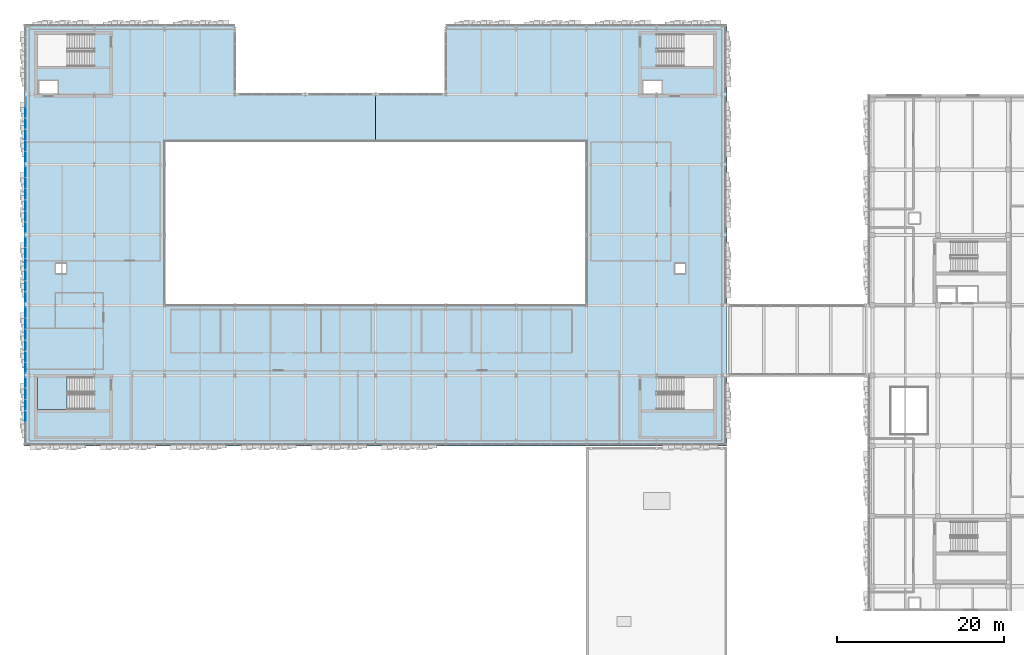
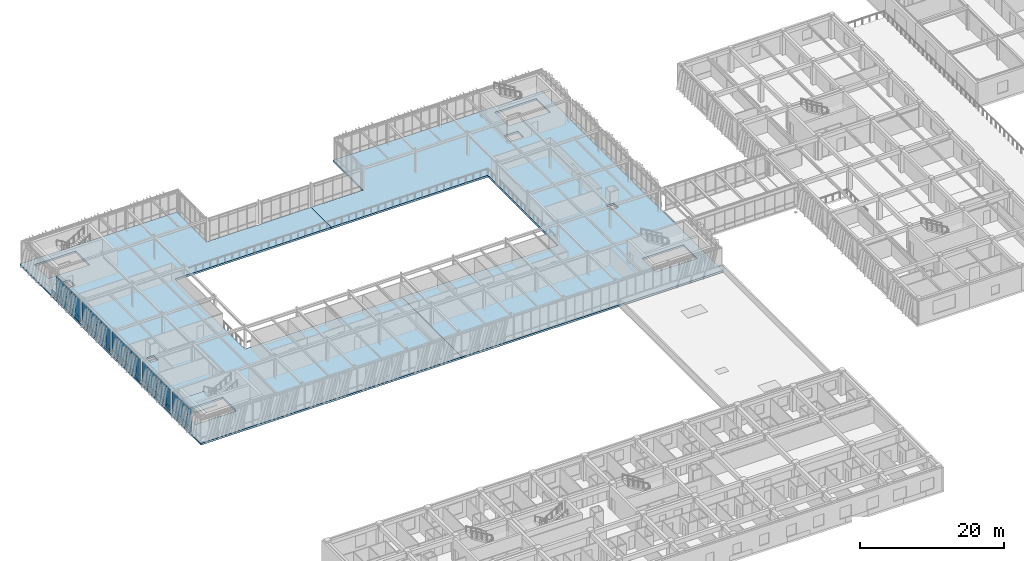
# One storey, part 87 of 127: 55 plates, 3 slabs, 6 elements without a shape of their own.
"""IFC4 building model written with IfcOpenShell, lengths in metres."""

from ifc_helpers import new_model, si_unit, direction, frame, origin, origin_2d, place, context, subcontext, project, spatial, polyline, rectangle, outline, extrude, material, layer, layer_set, type_object, element, aggregate, save


model = new_model("IFC4")

# Units and contexts
model_context = context("Model", 3, precision=1e-05, world=origin(), true_north=direction((0.0, 1.0)))
body_context = subcontext(model_context, "Body", "Model", "MODEL_VIEW")
ifc_project = project(units=[si_unit("LENGTHUNIT", "METRE"), si_unit("AREAUNIT", "SQUARE_METRE"), si_unit("VOLUMEUNIT", "CUBIC_METRE"), si_unit("PLANEANGLEUNIT", "RADIAN"), si_unit("MASSUNIT", "GRAM", prefix="KILO")], contexts=[model_context])

# Site, building, storey
site_placement = place(None, origin())
site = spatial("IfcSite", under=ifc_project, at=site_placement, CompositionType="ELEMENT")
building_placement = place(site_placement, origin())
building = spatial("IfcBuilding", under=site, at=building_placement, Name="Zayran Congress Hotel", CompositionType="ELEMENT")
storey_placement = place(building_placement, frame((0.0, 0.0, 10.800048828125)))
storey = spatial("IfcBuildingStorey", under=building, at=storey_placement, Name="L02", CompositionType="ELEMENT", Elevation=10.800048828125)

# Slabs
ifc_material_1 = material(Name="Concrete C32/40", Category="concrete")
ifc_layer_1 = layer(ifc_material_1, 0.320068359375)
ifc_layer_set_1 = layer_set([ifc_layer_1], Name="Concrete C32/40")
slab_type_1 = type_object("IfcSlabType", Name="SL-PD-320", PredefinedType="FLOOR", material=ifc_layer_set_1)
slab_1_placement = place(storey_placement, frame((0.0, 0.0, -0.320068359375)))
element("IfcSlab", 1, at=slab_1_placement, inside=storey, type_object=slab_type_1, Name="SLB-V1-L02-005", PredefinedType="FLOOR", context=body_context, shape_type="SweptSolid", body=[
    extrude(outline(polyline([(8.39990234375, 67.60009765625), (50.39990234375, 67.60009765625), (50.39990234375, 84.39990234375), (25.199951171875, 84.39990234375), (25.199951171875, 104.0), (50.39990234375, 104.0), (50.39990234375, 109.60009765625), (33.60009765625, 109.60009765625), (33.60009765625, 118.0), (8.39990234375, 118.0), (8.39990234375, 67.60009765625)]), holes=[polyline([(10.0, 112.9599609375), (16.659912109375, 112.9599609375), (16.659912109375, 116.800048828125), (10.0, 116.800048828125), (10.0, 112.9599609375)]), polyline([(10.199951171875, 109.60009765625), (12.39990234375, 109.60009765625), (12.39990234375, 111.199951171875), (10.199951171875, 111.199951171875), (10.199951171875, 109.60009765625)]), polyline([(10.0, 71.9599609375), (16.659912109375, 71.9599609375), (16.659912109375, 75.800048828125), (10.0, 75.800048828125), (10.0, 71.9599609375)]), polyline([(12.199951171875, 88.199951171875), (13.419921875, 88.199951171875), (13.419921875, 89.3798828125), (12.199951171875, 89.3798828125), (12.199951171875, 88.199951171875)])]), origin(), (0.0, 0.0, 1.0), 0.320068359375),
])
slab_2_placement = place(storey_placement, frame((0.0, 0.0, -0.320068359375)))
element("IfcSlab", 2, at=slab_2_placement, inside=storey, type_object=slab_type_1, Name="SLB-V1-L02-006", PredefinedType="FLOOR", context=body_context, shape_type="SweptSolid", body=[
    extrude(outline(polyline([(50.39990234375, 67.60009765625), (92.39990234375, 67.60009765625), (92.39990234375, 118.0), (58.800048828125, 118.0), (58.800048828125, 109.60009765625), (50.39990234375, 109.60009765625), (50.39990234375, 104.0), (75.60009765625, 104.0), (75.60009765625, 84.39990234375), (50.39990234375, 84.39990234375), (50.39990234375, 67.60009765625)]), holes=[polyline([(84.139892578125, 112.9599609375), (90.800048828125, 112.9599609375), (90.800048828125, 116.800048828125), (84.139892578125, 116.800048828125), (84.139892578125, 112.9599609375)]), polyline([(82.39990234375, 109.60009765625), (84.60009765625, 109.60009765625), (84.60009765625, 111.199951171875), (82.39990234375, 111.199951171875), (82.39990234375, 109.60009765625)]), polyline([(84.139892578125, 71.9599609375), (90.800048828125, 71.9599609375), (90.800048828125, 75.800048828125), (84.139892578125, 75.800048828125), (84.139892578125, 71.9599609375)]), polyline([(86.199951171875, 88.199951171875), (87.419921875, 88.199951171875), (87.419921875, 89.3798828125), (86.199951171875, 89.3798828125), (86.199951171875, 88.199951171875)])]), origin(), (0.0, 0.0, 1.0), 0.320068359375),
])

# Curtain wall, plates
ifc_material_2 = material(Name="Anodised aluminium and low-E insulated glass", Category="aluminium")
ifc_layer_2 = layer(ifc_material_2, 0.179931640625)
ifc_layer_set_2 = layer_set([ifc_layer_2], Name="Anodised aluminium and low-E insulated glass")
curtain_wall_type_1 = type_object("IfcCurtainWallType", Name="CW-V1W-L02-CW-31-8040-3920", PredefinedType="USERDEFINED", material=ifc_layer_set_2)
curtain_wall_1_placement = place(storey_placement, origin())
curtain_wall_1 = element("IfcCurtainWall", 3, at=curtain_wall_1_placement, inside=storey, type_object=curtain_wall_type_1, Name="CW-V1W-L02-0", ObjectType="CURTAIN WALL", PredefinedType="USERDEFINED")
ifc_material_3 = material(Name="Insulated warm bronze aluminium spandrel panel", Category="aluminium")
ifc_layer_3 = layer(ifc_material_3, 0.06005859375)
ifc_layer_set_3 = layer_set([ifc_layer_3], Name="Insulated warm bronze aluminium spandrel panel")
plate_type_1 = type_object("IfcPlateType", Name="CWP-SP-1220-750", PredefinedType="CURTAIN_PANEL", material=ifc_layer_set_3)
plate_1_placement = place(storey_placement, frame((8.550048828125, 75.1298828125, 0.06005859375), z_axis=(0.0, 0.0, 1.0), x_axis=(0.0, 1.0, 0.0)))
plate_1 = element("IfcPlate", 4, at=plate_1_placement, type_object=plate_type_1, Name="CW-31 Spandrel Panel 1", PredefinedType="CURTAIN_PANEL", context=body_context, shape_type="SweptSolid", body=[
    extrude(rectangle(XDim=1.219970703125, YDim=0.06005859375, at=origin_2d()), origin(), (0.0, 0.0, 1.0), 0.75),
])
plate_2_placement = place(storey_placement, frame((8.550048828125, 73.81005859375, 0.06005859375), z_axis=(0.0, 0.0, 1.0), x_axis=(0.0, 1.0, 0.0)))
plate_2 = element("IfcPlate", 5, at=plate_2_placement, type_object=plate_type_1, Name="CW-31 Spandrel Panel 2", PredefinedType="CURTAIN_PANEL", context=body_context, shape_type="SweptSolid", body=[
    extrude(rectangle(XDim=1.260009765625, YDim=0.06005859375, at=origin_2d()), origin(), (0.0, 0.0, 1.0), 0.75),
])
plate_3_placement = place(storey_placement, frame((8.550048828125, 72.469970703125, 0.06005859375), z_axis=(0.0, 0.0, 1.0), x_axis=(0.0, 1.0, 0.0)))
plate_3 = element("IfcPlate", 6, at=plate_3_placement, type_object=plate_type_1, Name="CW-31 Spandrel Panel 3", PredefinedType="CURTAIN_PANEL", context=body_context, shape_type="SweptSolid", body=[
    extrude(rectangle(XDim=1.260009765625, YDim=0.06005859375, at=origin_2d()), origin(), (0.0, 0.0, 1.0), 0.75),
])
plate_4_placement = place(storey_placement, frame((8.550048828125, 71.1298828125, 0.06005859375), z_axis=(0.0, 0.0, 1.0), x_axis=(0.0, 1.0, 0.0)))
plate_4 = element("IfcPlate", 7, at=plate_4_placement, type_object=plate_type_1, Name="CW-31 Spandrel Panel 4", PredefinedType="CURTAIN_PANEL", context=body_context, shape_type="SweptSolid", body=[
    extrude(rectangle(XDim=1.260009765625, YDim=0.06005859375, at=origin_2d()), origin(), (0.0, 0.0, 1.0), 0.75),
])

ifc_layer_4 = layer(ifc_material_2, 0.179931640625)
ifc_layer_set_4 = layer_set([ifc_layer_4], Name="Anodised aluminium and low-E insulated glass")
curtain_wall_type_2 = type_object("IfcCurtainWallType", Name="CW-V1W-L02-CW-32-8040-3920", PredefinedType="USERDEFINED", material=ifc_layer_set_4)
curtain_wall_2_placement = place(storey_placement, origin())
curtain_wall_2 = element("IfcCurtainWall", 8, at=curtain_wall_2_placement, inside=storey, type_object=curtain_wall_type_2, Name="CW-V1W-L02-3", ObjectType="CURTAIN WALL", PredefinedType="USERDEFINED")
plate_5_placement = place(storey_placement, frame((8.550048828125, 100.330078125, 0.06005859375), z_axis=(0.0, 0.0, 1.0), x_axis=(0.0, 1.0, 0.0)))
plate_5 = element("IfcPlate", 9, at=plate_5_placement, type_object=plate_type_1, Name="CW-32 Spandrel Panel 1", PredefinedType="CURTAIN_PANEL", context=body_context, shape_type="SweptSolid", body=[
    extrude(rectangle(XDim=1.219970703125, YDim=0.06005859375, at=origin_2d()), origin(), (0.0, 0.0, 1.0), 0.75),
])
plate_6_placement = place(storey_placement, frame((8.550048828125, 99.010009765625, 0.06005859375), z_axis=(0.0, 0.0, 1.0), x_axis=(0.0, 1.0, 0.0)))
plate_6 = element("IfcPlate", 10, at=plate_6_placement, type_object=plate_type_1, Name="CW-32 Spandrel Panel 2", PredefinedType="CURTAIN_PANEL", context=body_context, shape_type="SweptSolid", body=[
    extrude(rectangle(XDim=1.260009765625, YDim=0.06005859375, at=origin_2d()), origin(), (0.0, 0.0, 1.0), 0.75),
])
plate_7_placement = place(storey_placement, frame((8.550048828125, 97.669921875, 0.06005859375), z_axis=(0.0, 0.0, 1.0), x_axis=(0.0, 1.0, 0.0)))
plate_7 = element("IfcPlate", 11, at=plate_7_placement, type_object=plate_type_1, Name="CW-32 Spandrel Panel 3", PredefinedType="CURTAIN_PANEL", context=body_context, shape_type="SweptSolid", body=[
    extrude(rectangle(XDim=1.260009765625, YDim=0.06005859375, at=origin_2d()), origin(), (0.0, 0.0, 1.0), 0.75),
])
plate_8_placement = place(storey_placement, frame((8.550048828125, 96.330078125, 0.06005859375), z_axis=(0.0, 0.0, 1.0), x_axis=(0.0, 1.0, 0.0)))
plate_8 = element("IfcPlate", 12, at=plate_8_placement, type_object=plate_type_1, Name="CW-32 Spandrel Panel 4", PredefinedType="CURTAIN_PANEL", context=body_context, shape_type="SweptSolid", body=[
    extrude(rectangle(XDim=1.260009765625, YDim=0.06005859375, at=origin_2d()), origin(), (0.0, 0.0, 1.0), 0.75),
])
plate_9_placement = place(storey_placement, frame((8.550048828125, 94.989990234375, 0.06005859375), z_axis=(0.0, 0.0, 1.0), x_axis=(0.0, 1.0, 0.0)))
plate_9 = element("IfcPlate", 13, at=plate_9_placement, type_object=plate_type_1, Name="CW-32 Spandrel Panel 5", PredefinedType="CURTAIN_PANEL", context=body_context, shape_type="SweptSolid", body=[
    extrude(rectangle(XDim=1.260009765625, YDim=0.06005859375, at=origin_2d()), origin(), (0.0, 0.0, 1.0), 0.75),
])
plate_10_placement = place(storey_placement, frame((8.550048828125, 93.669921875, 0.06005859375), z_axis=(0.0, 0.0, 1.0), x_axis=(0.0, 1.0, 0.0)))
plate_10 = element("IfcPlate", 14, at=plate_10_placement, type_object=plate_type_1, Name="CW-32 Spandrel Panel 6", PredefinedType="CURTAIN_PANEL", context=body_context, shape_type="SweptSolid", body=[
    extrude(rectangle(XDim=1.219970703125, YDim=0.06005859375, at=origin_2d()), origin(), (0.0, 0.0, 1.0), 0.75),
])

ifc_layer_5 = layer(ifc_material_2, 0.179931640625)
ifc_layer_set_5 = layer_set([ifc_layer_5], Name="Anodised aluminium and low-E insulated glass")
curtain_wall_type_3 = type_object("IfcCurtainWallType", Name="CW-V1W-L02-CW-32-7990-3920", PredefinedType="USERDEFINED", material=ifc_layer_set_5)
curtain_wall_3_placement = place(storey_placement, origin())
curtain_wall_3 = element("IfcCurtainWall", 15, at=curtain_wall_3_placement, inside=storey, type_object=curtain_wall_type_3, Name="CW-V1W-L02-1", ObjectType="CURTAIN WALL", PredefinedType="USERDEFINED")
ifc_layer_6 = layer(ifc_material_3, 0.06005859375)
ifc_layer_set_6 = layer_set([ifc_layer_6], Name="Insulated warm bronze aluminium spandrel panel")
plate_type_2 = type_object("IfcPlateType", Name="CWP-SP-1212-750", PredefinedType="CURTAIN_PANEL", material=ifc_layer_set_6)
plate_11_placement = place(storey_placement, frame((8.550048828125, 83.5341796875, 0.06005859375), z_axis=(0.0, 0.0, 1.0), x_axis=(0.0, 1.0, 0.0)))
plate_11 = element("IfcPlate", 16, at=plate_11_placement, type_object=plate_type_2, Name="CW-32 Spandrel Panel 1", PredefinedType="CURTAIN_PANEL", context=body_context, shape_type="SweptSolid", body=[
    extrude(rectangle(XDim=1.211669921875, YDim=0.06005859375, at=origin_2d()), origin(), (0.0, 0.0, 1.0), 0.75),
])
plate_12_placement = place(storey_placement, frame((8.550048828125, 82.222412109375, 0.06005859375), z_axis=(0.0, 0.0, 1.0), x_axis=(0.0, 1.0, 0.0)))
plate_12 = element("IfcPlate", 17, at=plate_12_placement, type_object=plate_type_2, Name="CW-32 Spandrel Panel 2", PredefinedType="CURTAIN_PANEL", context=body_context, shape_type="SweptSolid", body=[
    extrude(rectangle(XDim=1.251708984375, YDim=0.06005859375, at=origin_2d()), origin(), (0.0, 0.0, 1.0), 0.75),
])
plate_13_placement = place(storey_placement, frame((8.550048828125, 80.890869140625, 0.06005859375), z_axis=(0.0, 0.0, 1.0), x_axis=(0.0, 1.0, 0.0)))
plate_13 = element("IfcPlate", 18, at=plate_13_placement, type_object=plate_type_2, Name="CW-32 Spandrel Panel 3", PredefinedType="CURTAIN_PANEL", context=body_context, shape_type="SweptSolid", body=[
    extrude(rectangle(XDim=1.251708984375, YDim=0.06005859375, at=origin_2d()), origin(), (0.0, 0.0, 1.0), 0.75),
])
plate_14_placement = place(storey_placement, frame((8.550048828125, 79.55908203125, 0.06005859375), z_axis=(0.0, 0.0, 1.0), x_axis=(0.0, 1.0, 0.0)))
plate_14 = element("IfcPlate", 19, at=plate_14_placement, type_object=plate_type_2, Name="CW-32 Spandrel Panel 4", PredefinedType="CURTAIN_PANEL", context=body_context, shape_type="SweptSolid", body=[
    extrude(rectangle(XDim=1.251708984375, YDim=0.06005859375, at=origin_2d()), origin(), (0.0, 0.0, 1.0), 0.75),
])
plate_15_placement = place(storey_placement, frame((8.550048828125, 78.2275390625, 0.06005859375), z_axis=(0.0, 0.0, 1.0), x_axis=(0.0, 1.0, 0.0)))
plate_15 = element("IfcPlate", 20, at=plate_15_placement, type_object=plate_type_2, Name="CW-32 Spandrel Panel 5", PredefinedType="CURTAIN_PANEL", context=body_context, shape_type="SweptSolid", body=[
    extrude(rectangle(XDim=1.251708984375, YDim=0.06005859375, at=origin_2d()), origin(), (0.0, 0.0, 1.0), 0.75),
])
plate_16_placement = place(storey_placement, frame((8.550048828125, 76.915771484375, 0.06005859375), z_axis=(0.0, 0.0, 1.0), x_axis=(0.0, 1.0, 0.0)))
plate_16 = element("IfcPlate", 21, at=plate_16_placement, type_object=plate_type_2, Name="CW-32 Spandrel Panel 6", PredefinedType="CURTAIN_PANEL", context=body_context, shape_type="SweptSolid", body=[
    extrude(rectangle(XDim=1.211669921875, YDim=0.06005859375, at=origin_2d()), origin(), (0.0, 0.0, 1.0), 0.75),
])

ifc_layer_7 = layer(ifc_material_2, 0.179931640625)
ifc_layer_set_7 = layer_set([ifc_layer_7], Name="Anodised aluminium and low-E insulated glass")
curtain_wall_type_4 = type_object("IfcCurtainWallType", Name="CW-V1W-L02-CW-31-7990-3920", PredefinedType="USERDEFINED", material=ifc_layer_set_7)
curtain_wall_4_placement = place(storey_placement, origin())
curtain_wall_4 = element("IfcCurtainWall", 22, at=curtain_wall_4_placement, inside=storey, type_object=curtain_wall_type_4, Name="CW-V1W-L02-4", ObjectType="CURTAIN WALL", PredefinedType="USERDEFINED")
plate_17_placement = place(storey_placement, frame((8.550048828125, 108.734130859375, 0.06005859375), z_axis=(0.0, 0.0, 1.0), x_axis=(0.0, 1.0, 0.0)))
plate_17 = element("IfcPlate", 23, at=plate_17_placement, type_object=plate_type_2, Name="CW-31 Spandrel Panel 1", PredefinedType="CURTAIN_PANEL", context=body_context, shape_type="SweptSolid", body=[
    extrude(rectangle(XDim=1.211669921875, YDim=0.06005859375, at=origin_2d()), origin(), (0.0, 0.0, 1.0), 0.75),
])
plate_18_placement = place(storey_placement, frame((8.550048828125, 107.422607421875, 0.06005859375), z_axis=(0.0, 0.0, 1.0), x_axis=(0.0, 1.0, 0.0)))
plate_18 = element("IfcPlate", 24, at=plate_18_placement, type_object=plate_type_2, Name="CW-31 Spandrel Panel 2", PredefinedType="CURTAIN_PANEL", context=body_context, shape_type="SweptSolid", body=[
    extrude(rectangle(XDim=1.251708984375, YDim=0.06005859375, at=origin_2d()), origin(), (0.0, 0.0, 1.0), 0.75),
])
plate_19_placement = place(storey_placement, frame((8.550048828125, 106.0908203125, 0.06005859375), z_axis=(0.0, 0.0, 1.0), x_axis=(0.0, 1.0, 0.0)))
plate_19 = element("IfcPlate", 25, at=plate_19_placement, type_object=plate_type_2, Name="CW-31 Spandrel Panel 3", PredefinedType="CURTAIN_PANEL", context=body_context, shape_type="SweptSolid", body=[
    extrude(rectangle(XDim=1.251708984375, YDim=0.06005859375, at=origin_2d()), origin(), (0.0, 0.0, 1.0), 0.75),
])
plate_20_placement = place(storey_placement, frame((8.550048828125, 104.75927734375, 0.06005859375), z_axis=(0.0, 0.0, 1.0), x_axis=(0.0, 1.0, 0.0)))
plate_20 = element("IfcPlate", 26, at=plate_20_placement, type_object=plate_type_2, Name="CW-31 Spandrel Panel 4", PredefinedType="CURTAIN_PANEL", context=body_context, shape_type="SweptSolid", body=[
    extrude(rectangle(XDim=1.251708984375, YDim=0.06005859375, at=origin_2d()), origin(), (0.0, 0.0, 1.0), 0.75),
])
plate_21_placement = place(storey_placement, frame((8.550048828125, 103.427490234375, 0.06005859375), z_axis=(0.0, 0.0, 1.0), x_axis=(0.0, 1.0, 0.0)))
plate_21 = element("IfcPlate", 27, at=plate_21_placement, type_object=plate_type_2, Name="CW-31 Spandrel Panel 5", PredefinedType="CURTAIN_PANEL", context=body_context, shape_type="SweptSolid", body=[
    extrude(rectangle(XDim=1.251708984375, YDim=0.06005859375, at=origin_2d()), origin(), (0.0, 0.0, 1.0), 0.75),
])
plate_22_placement = place(storey_placement, frame((8.550048828125, 102.11572265625, 0.06005859375), z_axis=(0.0, 0.0, 1.0), x_axis=(0.0, 1.0, 0.0)))
plate_22 = element("IfcPlate", 28, at=plate_22_placement, type_object=plate_type_2, Name="CW-31 Spandrel Panel 6", PredefinedType="CURTAIN_PANEL", context=body_context, shape_type="SweptSolid", body=[
    extrude(rectangle(XDim=1.211669921875, YDim=0.06005859375, at=origin_2d()), origin(), (0.0, 0.0, 1.0), 0.75),
])

ifc_layer_8 = layer(ifc_material_2, 0.179931640625)
ifc_layer_set_8 = layer_set([ifc_layer_8], Name="Anodised aluminium and low-E insulated glass")
curtain_wall_type_5 = type_object("IfcCurtainWallType", Name="CW-V1W-L02-CW-31-7940-3920", PredefinedType="USERDEFINED", material=ifc_layer_set_8)
curtain_wall_5_placement = place(storey_placement, origin())
curtain_wall_5 = element("IfcCurtainWall", 29, at=curtain_wall_5_placement, inside=storey, type_object=curtain_wall_type_5, Name="CW-V1W-L02-2", ObjectType="CURTAIN WALL", PredefinedType="USERDEFINED")
ifc_layer_9 = layer(ifc_material_3, 0.06005859375)
ifc_layer_set_9 = layer_set([ifc_layer_9], Name="Insulated warm bronze aluminium spandrel panel")
plate_type_3 = type_object("IfcPlateType", Name="CWP-SP-1203-750", PredefinedType="CURTAIN_PANEL", material=ifc_layer_set_9)
plate_23_placement = place(storey_placement, frame((8.550048828125, 91.938232421875, 0.06005859375), z_axis=(0.0, 0.0, 1.0), x_axis=(0.0, 1.0, 0.0)))
plate_23 = element("IfcPlate", 30, at=plate_23_placement, type_object=plate_type_3, Name="CW-31 Spandrel Panel 1", PredefinedType="CURTAIN_PANEL", context=body_context, shape_type="SweptSolid", body=[
    extrude(rectangle(XDim=1.203369140625, YDim=0.06005859375, at=origin_2d()), origin(), (0.0, 0.0, 1.0), 0.75),
])
plate_24_placement = place(storey_placement, frame((8.550048828125, 90.635009765625, 0.06005859375), z_axis=(0.0, 0.0, 1.0), x_axis=(0.0, 1.0, 0.0)))
plate_24 = element("IfcPlate", 31, at=plate_24_placement, type_object=plate_type_3, Name="CW-31 Spandrel Panel 2", PredefinedType="CURTAIN_PANEL", context=body_context, shape_type="SweptSolid", body=[
    extrude(rectangle(XDim=1.243408203125, YDim=0.06005859375, at=origin_2d()), origin(), (0.0, 0.0, 1.0), 0.75),
])
plate_25_placement = place(storey_placement, frame((8.550048828125, 89.311767578125, 0.06005859375), z_axis=(0.0, 0.0, 1.0), x_axis=(0.0, 1.0, 0.0)))
plate_25 = element("IfcPlate", 32, at=plate_25_placement, type_object=plate_type_3, Name="CW-31 Spandrel Panel 3", PredefinedType="CURTAIN_PANEL", context=body_context, shape_type="SweptSolid", body=[
    extrude(rectangle(XDim=1.243408203125, YDim=0.06005859375, at=origin_2d()), origin(), (0.0, 0.0, 1.0), 0.75),
])
plate_26_placement = place(storey_placement, frame((8.550048828125, 87.98828125, 0.06005859375), z_axis=(0.0, 0.0, 1.0), x_axis=(0.0, 1.0, 0.0)))
plate_26 = element("IfcPlate", 33, at=plate_26_placement, type_object=plate_type_3, Name="CW-31 Spandrel Panel 4", PredefinedType="CURTAIN_PANEL", context=body_context, shape_type="SweptSolid", body=[
    extrude(rectangle(XDim=1.243408203125, YDim=0.06005859375, at=origin_2d()), origin(), (0.0, 0.0, 1.0), 0.75),
])
plate_27_placement = place(storey_placement, frame((8.550048828125, 86.6650390625, 0.06005859375), z_axis=(0.0, 0.0, 1.0), x_axis=(0.0, 1.0, 0.0)))
plate_27 = element("IfcPlate", 34, at=plate_27_placement, type_object=plate_type_3, Name="CW-31 Spandrel Panel 5", PredefinedType="CURTAIN_PANEL", context=body_context, shape_type="SweptSolid", body=[
    extrude(rectangle(XDim=1.243408203125, YDim=0.06005859375, at=origin_2d()), origin(), (0.0, 0.0, 1.0), 0.75),
])
plate_28_placement = place(storey_placement, frame((8.550048828125, 85.36181640625, 0.06005859375), z_axis=(0.0, 0.0, 1.0), x_axis=(0.0, 1.0, 0.0)))
plate_28 = element("IfcPlate", 35, at=plate_28_placement, type_object=plate_type_3, Name="CW-31 Spandrel Panel 6", PredefinedType="CURTAIN_PANEL", context=body_context, shape_type="SweptSolid", body=[
    extrude(rectangle(XDim=1.203369140625, YDim=0.06005859375, at=origin_2d()), origin(), (0.0, 0.0, 1.0), 0.75),
])

# Plate
ifc_layer_10 = layer(ifc_material_2, 0.028076171875)
ifc_layer_set_10 = layer_set([ifc_layer_10], Name="Anodised aluminium and low-E insulated glass")
plate_type_4 = type_object("IfcPlateType", Name="CWP-GL-1220-2990", PredefinedType="CURTAIN_PANEL", material=ifc_layer_set_10)
plate_29_placement = place(storey_placement, frame((8.550048828125, 75.1298828125, 0.8701171875), z_axis=(0.0, 0.0, 1.0), x_axis=(0.0, 1.0, 0.0)))
plate_29 = element("IfcPlate", 36, at=plate_29_placement, type_object=plate_type_4, Name="CW-31 Glazed Panel 1", PredefinedType="CURTAIN_PANEL", context=body_context, shape_type="SweptSolid", body=[
    extrude(rectangle(XDim=1.219970703125, YDim=0.028076171875, at=origin_2d()), origin(), (0.0, 0.0, 1.0), 2.989990234375),
])

plate_30_placement = place(storey_placement, frame((8.550048828125, 73.81005859375, 0.8701171875), z_axis=(0.0, 0.0, 1.0), x_axis=(0.0, 1.0, 0.0)))
plate_30 = element("IfcPlate", 37, at=plate_30_placement, type_object=plate_type_4, Name="CW-31 Glazed Panel 2", PredefinedType="CURTAIN_PANEL", context=body_context, shape_type="SweptSolid", body=[
    extrude(rectangle(XDim=1.260009765625, YDim=0.028076171875, at=origin_2d()), origin(), (0.0, 0.0, 1.0), 2.989990234375),
])

plate_31_placement = place(storey_placement, frame((8.550048828125, 72.469970703125, 0.8701171875), z_axis=(0.0, 0.0, 1.0), x_axis=(0.0, 1.0, 0.0)))
plate_31 = element("IfcPlate", 38, at=plate_31_placement, type_object=plate_type_4, Name="CW-31 Glazed Panel 3", PredefinedType="CURTAIN_PANEL", context=body_context, shape_type="SweptSolid", body=[
    extrude(rectangle(XDim=1.260009765625, YDim=0.028076171875, at=origin_2d()), origin(), (0.0, 0.0, 1.0), 2.989990234375),
])

plate_32_placement = place(storey_placement, frame((8.550048828125, 71.1298828125, 0.8701171875), z_axis=(0.0, 0.0, 1.0), x_axis=(0.0, 1.0, 0.0)))
plate_32 = element("IfcPlate", 39, at=plate_32_placement, type_object=plate_type_4, Name="CW-31 Glazed Panel 4", PredefinedType="CURTAIN_PANEL", context=body_context, shape_type="SweptSolid", body=[
    extrude(rectangle(XDim=1.260009765625, YDim=0.028076171875, at=origin_2d()), origin(), (0.0, 0.0, 1.0), 2.989990234375),
])

aggregate(curtain_wall_1, [plate_1, plate_29, plate_2, plate_30, plate_3, plate_31, plate_4, plate_32])

plate_33_placement = place(storey_placement, frame((8.550048828125, 100.330078125, 0.8701171875), z_axis=(0.0, 0.0, 1.0), x_axis=(0.0, 1.0, 0.0)))
plate_33 = element("IfcPlate", 40, at=plate_33_placement, type_object=plate_type_4, Name="CW-32 Glazed Panel 1", PredefinedType="CURTAIN_PANEL", context=body_context, shape_type="SweptSolid", body=[
    extrude(rectangle(XDim=1.219970703125, YDim=0.028076171875, at=origin_2d()), origin(), (0.0, 0.0, 1.0), 2.989990234375),
])

plate_34_placement = place(storey_placement, frame((8.550048828125, 99.010009765625, 0.8701171875), z_axis=(0.0, 0.0, 1.0), x_axis=(0.0, 1.0, 0.0)))
plate_34 = element("IfcPlate", 41, at=plate_34_placement, type_object=plate_type_4, Name="CW-32 Glazed Panel 2", PredefinedType="CURTAIN_PANEL", context=body_context, shape_type="SweptSolid", body=[
    extrude(rectangle(XDim=1.260009765625, YDim=0.028076171875, at=origin_2d()), origin(), (0.0, 0.0, 1.0), 2.989990234375),
])

plate_35_placement = place(storey_placement, frame((8.550048828125, 97.669921875, 0.8701171875), z_axis=(0.0, 0.0, 1.0), x_axis=(0.0, 1.0, 0.0)))
plate_35 = element("IfcPlate", 42, at=plate_35_placement, type_object=plate_type_4, Name="CW-32 Glazed Panel 3", PredefinedType="CURTAIN_PANEL", context=body_context, shape_type="SweptSolid", body=[
    extrude(rectangle(XDim=1.260009765625, YDim=0.028076171875, at=origin_2d()), origin(), (0.0, 0.0, 1.0), 2.989990234375),
])

plate_36_placement = place(storey_placement, frame((8.550048828125, 96.330078125, 0.8701171875), z_axis=(0.0, 0.0, 1.0), x_axis=(0.0, 1.0, 0.0)))
plate_36 = element("IfcPlate", 43, at=plate_36_placement, type_object=plate_type_4, Name="CW-32 Glazed Panel 4", PredefinedType="CURTAIN_PANEL", context=body_context, shape_type="SweptSolid", body=[
    extrude(rectangle(XDim=1.260009765625, YDim=0.028076171875, at=origin_2d()), origin(), (0.0, 0.0, 1.0), 2.989990234375),
])

plate_37_placement = place(storey_placement, frame((8.550048828125, 94.989990234375, 0.8701171875), z_axis=(0.0, 0.0, 1.0), x_axis=(0.0, 1.0, 0.0)))
plate_37 = element("IfcPlate", 44, at=plate_37_placement, type_object=plate_type_4, Name="CW-32 Glazed Panel 5", PredefinedType="CURTAIN_PANEL", context=body_context, shape_type="SweptSolid", body=[
    extrude(rectangle(XDim=1.260009765625, YDim=0.028076171875, at=origin_2d()), origin(), (0.0, 0.0, 1.0), 2.989990234375),
])

plate_38_placement = place(storey_placement, frame((8.550048828125, 93.669921875, 0.8701171875), z_axis=(0.0, 0.0, 1.0), x_axis=(0.0, 1.0, 0.0)))
plate_38 = element("IfcPlate", 45, at=plate_38_placement, type_object=plate_type_4, Name="CW-32 Glazed Panel 6", PredefinedType="CURTAIN_PANEL", context=body_context, shape_type="SweptSolid", body=[
    extrude(rectangle(XDim=1.219970703125, YDim=0.028076171875, at=origin_2d()), origin(), (0.0, 0.0, 1.0), 2.989990234375),
])

aggregate(curtain_wall_2, [plate_5, plate_33, plate_6, plate_34, plate_7, plate_35, plate_8, plate_36, plate_9, plate_37, plate_10, plate_38])

ifc_layer_11 = layer(ifc_material_2, 0.028076171875)
ifc_layer_set_11 = layer_set([ifc_layer_11], Name="Anodised aluminium and low-E insulated glass")
plate_type_5 = type_object("IfcPlateType", Name="CWP-GL-1212-2990", PredefinedType="CURTAIN_PANEL", material=ifc_layer_set_11)
plate_39_placement = place(storey_placement, frame((8.550048828125, 83.5341796875, 0.8701171875), z_axis=(0.0, 0.0, 1.0), x_axis=(0.0, 1.0, 0.0)))
plate_39 = element("IfcPlate", 46, at=plate_39_placement, type_object=plate_type_5, Name="CW-32 Glazed Panel 1", PredefinedType="CURTAIN_PANEL", context=body_context, shape_type="SweptSolid", body=[
    extrude(rectangle(XDim=1.211669921875, YDim=0.028076171875, at=origin_2d()), origin(), (0.0, 0.0, 1.0), 2.989990234375),
])

plate_40_placement = place(storey_placement, frame((8.550048828125, 82.222412109375, 0.8701171875), z_axis=(0.0, 0.0, 1.0), x_axis=(0.0, 1.0, 0.0)))
plate_40 = element("IfcPlate", 47, at=plate_40_placement, type_object=plate_type_5, Name="CW-32 Glazed Panel 2", PredefinedType="CURTAIN_PANEL", context=body_context, shape_type="SweptSolid", body=[
    extrude(rectangle(XDim=1.251708984375, YDim=0.028076171875, at=origin_2d()), origin(), (0.0, 0.0, 1.0), 2.989990234375),
])

plate_41_placement = place(storey_placement, frame((8.550048828125, 80.890869140625, 0.8701171875), z_axis=(0.0, 0.0, 1.0), x_axis=(0.0, 1.0, 0.0)))
plate_41 = element("IfcPlate", 48, at=plate_41_placement, type_object=plate_type_5, Name="CW-32 Glazed Panel 3", PredefinedType="CURTAIN_PANEL", context=body_context, shape_type="SweptSolid", body=[
    extrude(rectangle(XDim=1.251708984375, YDim=0.028076171875, at=origin_2d()), origin(), (0.0, 0.0, 1.0), 2.989990234375),
])

plate_42_placement = place(storey_placement, frame((8.550048828125, 79.55908203125, 0.8701171875), z_axis=(0.0, 0.0, 1.0), x_axis=(0.0, 1.0, 0.0)))
plate_42 = element("IfcPlate", 49, at=plate_42_placement, type_object=plate_type_5, Name="CW-32 Glazed Panel 4", PredefinedType="CURTAIN_PANEL", context=body_context, shape_type="SweptSolid", body=[
    extrude(rectangle(XDim=1.251708984375, YDim=0.028076171875, at=origin_2d()), origin(), (0.0, 0.0, 1.0), 2.989990234375),
])

plate_43_placement = place(storey_placement, frame((8.550048828125, 78.2275390625, 0.8701171875), z_axis=(0.0, 0.0, 1.0), x_axis=(0.0, 1.0, 0.0)))
plate_43 = element("IfcPlate", 50, at=plate_43_placement, type_object=plate_type_5, Name="CW-32 Glazed Panel 5", PredefinedType="CURTAIN_PANEL", context=body_context, shape_type="SweptSolid", body=[
    extrude(rectangle(XDim=1.251708984375, YDim=0.028076171875, at=origin_2d()), origin(), (0.0, 0.0, 1.0), 2.989990234375),
])

plate_44_placement = place(storey_placement, frame((8.550048828125, 76.915771484375, 0.8701171875), z_axis=(0.0, 0.0, 1.0), x_axis=(0.0, 1.0, 0.0)))
plate_44 = element("IfcPlate", 51, at=plate_44_placement, type_object=plate_type_5, Name="CW-32 Glazed Panel 6", PredefinedType="CURTAIN_PANEL", context=body_context, shape_type="SweptSolid", body=[
    extrude(rectangle(XDim=1.211669921875, YDim=0.028076171875, at=origin_2d()), origin(), (0.0, 0.0, 1.0), 2.989990234375),
])

aggregate(curtain_wall_3, [plate_11, plate_39, plate_12, plate_40, plate_13, plate_41, plate_14, plate_42, plate_15, plate_43, plate_16, plate_44])

plate_45_placement = place(storey_placement, frame((8.550048828125, 107.422607421875, 0.8701171875), z_axis=(0.0, 0.0, 1.0), x_axis=(0.0, 1.0, 0.0)))
plate_45 = element("IfcPlate", 52, at=plate_45_placement, type_object=plate_type_5, Name="CW-31 Glazed Panel 2", PredefinedType="CURTAIN_PANEL", context=body_context, shape_type="SweptSolid", body=[
    extrude(rectangle(XDim=1.251708984375, YDim=0.028076171875, at=origin_2d()), origin(), (0.0, 0.0, 1.0), 2.989990234375),
])

plate_46_placement = place(storey_placement, frame((8.550048828125, 106.0908203125, 0.8701171875), z_axis=(0.0, 0.0, 1.0), x_axis=(0.0, 1.0, 0.0)))
plate_46 = element("IfcPlate", 53, at=plate_46_placement, type_object=plate_type_5, Name="CW-31 Glazed Panel 3", PredefinedType="CURTAIN_PANEL", context=body_context, shape_type="SweptSolid", body=[
    extrude(rectangle(XDim=1.251708984375, YDim=0.028076171875, at=origin_2d()), origin(), (0.0, 0.0, 1.0), 2.989990234375),
])

plate_47_placement = place(storey_placement, frame((8.550048828125, 104.75927734375, 0.8701171875), z_axis=(0.0, 0.0, 1.0), x_axis=(0.0, 1.0, 0.0)))
plate_47 = element("IfcPlate", 54, at=plate_47_placement, type_object=plate_type_5, Name="CW-31 Glazed Panel 4", PredefinedType="CURTAIN_PANEL", context=body_context, shape_type="SweptSolid", body=[
    extrude(rectangle(XDim=1.251708984375, YDim=0.028076171875, at=origin_2d()), origin(), (0.0, 0.0, 1.0), 2.989990234375),
])

plate_48_placement = place(storey_placement, frame((8.550048828125, 103.427490234375, 0.8701171875), z_axis=(0.0, 0.0, 1.0), x_axis=(0.0, 1.0, 0.0)))
plate_48 = element("IfcPlate", 55, at=plate_48_placement, type_object=plate_type_5, Name="CW-31 Glazed Panel 5", PredefinedType="CURTAIN_PANEL", context=body_context, shape_type="SweptSolid", body=[
    extrude(rectangle(XDim=1.251708984375, YDim=0.028076171875, at=origin_2d()), origin(), (0.0, 0.0, 1.0), 2.989990234375),
])

plate_49_placement = place(storey_placement, frame((8.550048828125, 102.11572265625, 0.8701171875), z_axis=(0.0, 0.0, 1.0), x_axis=(0.0, 1.0, 0.0)))
plate_49 = element("IfcPlate", 56, at=plate_49_placement, type_object=plate_type_5, Name="CW-31 Glazed Panel 6", PredefinedType="CURTAIN_PANEL", context=body_context, shape_type="SweptSolid", body=[
    extrude(rectangle(XDim=1.211669921875, YDim=0.028076171875, at=origin_2d()), origin(), (0.0, 0.0, 1.0), 2.989990234375),
])

aggregate(curtain_wall_4, [plate_17, plate_18, plate_45, plate_19, plate_46, plate_20, plate_47, plate_21, plate_48, plate_22, plate_49])

ifc_layer_12 = layer(ifc_material_2, 0.028076171875)
ifc_layer_set_12 = layer_set([ifc_layer_12], Name="Anodised aluminium and low-E insulated glass")
plate_type_6 = type_object("IfcPlateType", Name="CWP-GL-1203-2990", PredefinedType="CURTAIN_PANEL", material=ifc_layer_set_12)
plate_50_placement = place(storey_placement, frame((8.550048828125, 91.938232421875, 0.8701171875), z_axis=(0.0, 0.0, 1.0), x_axis=(0.0, 1.0, 0.0)))
plate_50 = element("IfcPlate", 57, at=plate_50_placement, type_object=plate_type_6, Name="CW-31 Glazed Panel 1", PredefinedType="CURTAIN_PANEL", context=body_context, shape_type="SweptSolid", body=[
    extrude(rectangle(XDim=1.203369140625, YDim=0.028076171875, at=origin_2d()), origin(), (0.0, 0.0, 1.0), 2.989990234375),
])

plate_51_placement = place(storey_placement, frame((8.550048828125, 90.635009765625, 0.8701171875), z_axis=(0.0, 0.0, 1.0), x_axis=(0.0, 1.0, 0.0)))
plate_51 = element("IfcPlate", 58, at=plate_51_placement, type_object=plate_type_6, Name="CW-31 Glazed Panel 2", PredefinedType="CURTAIN_PANEL", context=body_context, shape_type="SweptSolid", body=[
    extrude(rectangle(XDim=1.243408203125, YDim=0.028076171875, at=origin_2d()), origin(), (0.0, 0.0, 1.0), 2.989990234375),
])

plate_52_placement = place(storey_placement, frame((8.550048828125, 89.311767578125, 0.8701171875), z_axis=(0.0, 0.0, 1.0), x_axis=(0.0, 1.0, 0.0)))
plate_52 = element("IfcPlate", 59, at=plate_52_placement, type_object=plate_type_6, Name="CW-31 Glazed Panel 3", PredefinedType="CURTAIN_PANEL", context=body_context, shape_type="SweptSolid", body=[
    extrude(rectangle(XDim=1.243408203125, YDim=0.028076171875, at=origin_2d()), origin(), (0.0, 0.0, 1.0), 2.989990234375),
])

plate_53_placement = place(storey_placement, frame((8.550048828125, 87.98828125, 0.8701171875), z_axis=(0.0, 0.0, 1.0), x_axis=(0.0, 1.0, 0.0)))
plate_53 = element("IfcPlate", 60, at=plate_53_placement, type_object=plate_type_6, Name="CW-31 Glazed Panel 4", PredefinedType="CURTAIN_PANEL", context=body_context, shape_type="SweptSolid", body=[
    extrude(rectangle(XDim=1.243408203125, YDim=0.028076171875, at=origin_2d()), origin(), (0.0, 0.0, 1.0), 2.989990234375),
])

plate_54_placement = place(storey_placement, frame((8.550048828125, 86.6650390625, 0.8701171875), z_axis=(0.0, 0.0, 1.0), x_axis=(0.0, 1.0, 0.0)))
plate_54 = element("IfcPlate", 61, at=plate_54_placement, type_object=plate_type_6, Name="CW-31 Glazed Panel 5", PredefinedType="CURTAIN_PANEL", context=body_context, shape_type="SweptSolid", body=[
    extrude(rectangle(XDim=1.243408203125, YDim=0.028076171875, at=origin_2d()), origin(), (0.0, 0.0, 1.0), 2.989990234375),
])

plate_55_placement = place(storey_placement, frame((8.550048828125, 85.36181640625, 0.8701171875), z_axis=(0.0, 0.0, 1.0), x_axis=(0.0, 1.0, 0.0)))
plate_55 = element("IfcPlate", 62, at=plate_55_placement, type_object=plate_type_6, Name="CW-31 Glazed Panel 6", PredefinedType="CURTAIN_PANEL", context=body_context, shape_type="SweptSolid", body=[
    extrude(rectangle(XDim=1.203369140625, YDim=0.028076171875, at=origin_2d()), origin(), (0.0, 0.0, 1.0), 2.989990234375),
])

aggregate(curtain_wall_5, [plate_23, plate_50, plate_24, plate_51, plate_25, plate_52, plate_26, plate_53, plate_27, plate_54, plate_28, plate_55])

# Stair, slab
stair_type = type_object("IfcStairType", Name="TP-STR-1800-42", PredefinedType="USERDEFINED", material=ifc_material_1)
stair_placement = place(storey_placement, origin())
stair = element("IfcStair", 63, at=stair_placement, inside=storey, type_object=stair_type, Name="L02 ST-05", ObjectType="TWO_RETURN_STAIR", PredefinedType="USERDEFINED")
ifc_layer_13 = layer(ifc_material_1, 0.199951171875)
ifc_layer_set_13 = layer_set([ifc_layer_13], Name="Concrete C32/40")
slab_type_2 = type_object("IfcSlabType", Name="TP-LND-1800", PredefinedType="LANDING", material=ifc_layer_set_13)
slab_3_placement = place(storey_placement, frame((0.0, 0.0, 1.89990234375)))
slab_3 = element("IfcSlab", 64, at=slab_3_placement, type_object=slab_type_2, Name="ST-05 landing 1", PredefinedType="LANDING", context=body_context, shape_type="SweptSolid", body=[
    extrude(outline(polyline([(13.554931640625, 75.800048828125), (10.0, 75.800048828125), (10.0, 71.9599609375), (13.554931640625, 71.9599609375), (13.554931640625, 75.800048828125)])), origin(), (0.0, 0.0, 1.0), 0.199951171875),
])
aggregate(stair, [slab_3])

save(model, "model.ifc")
